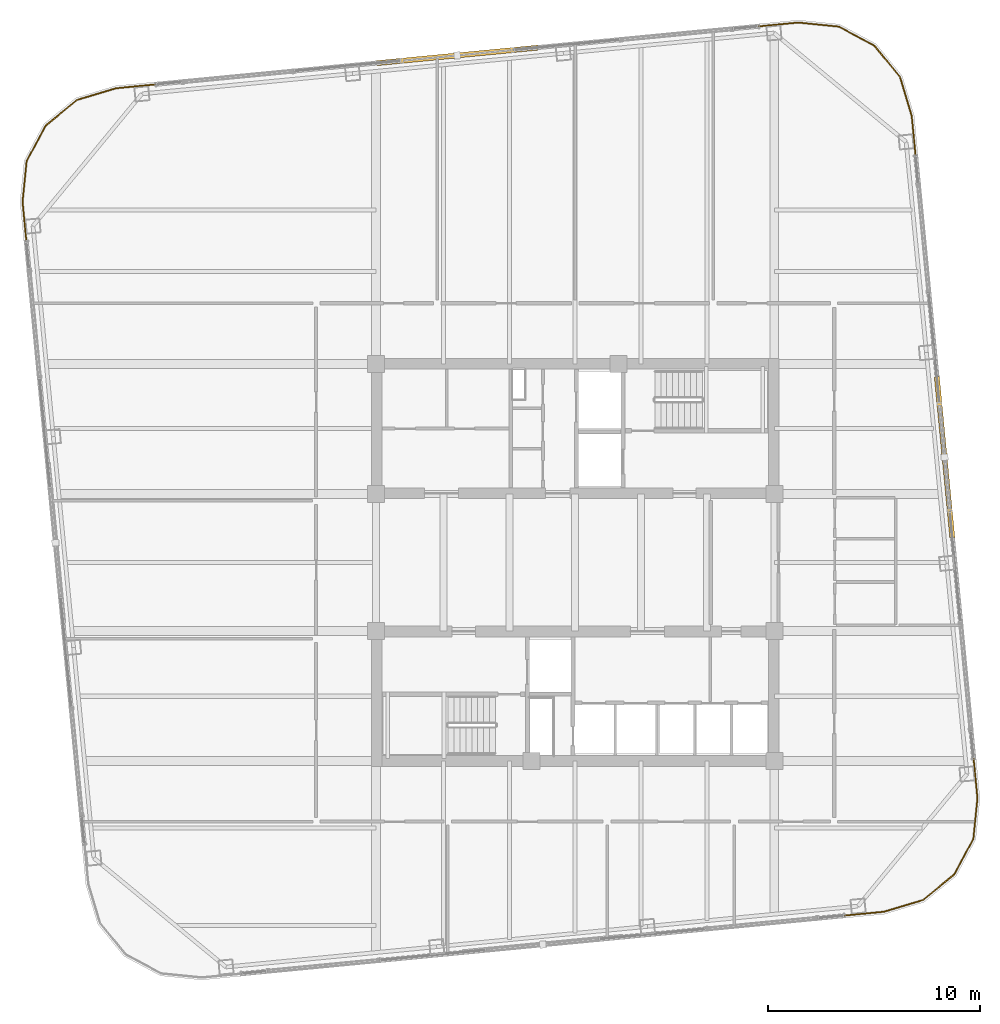
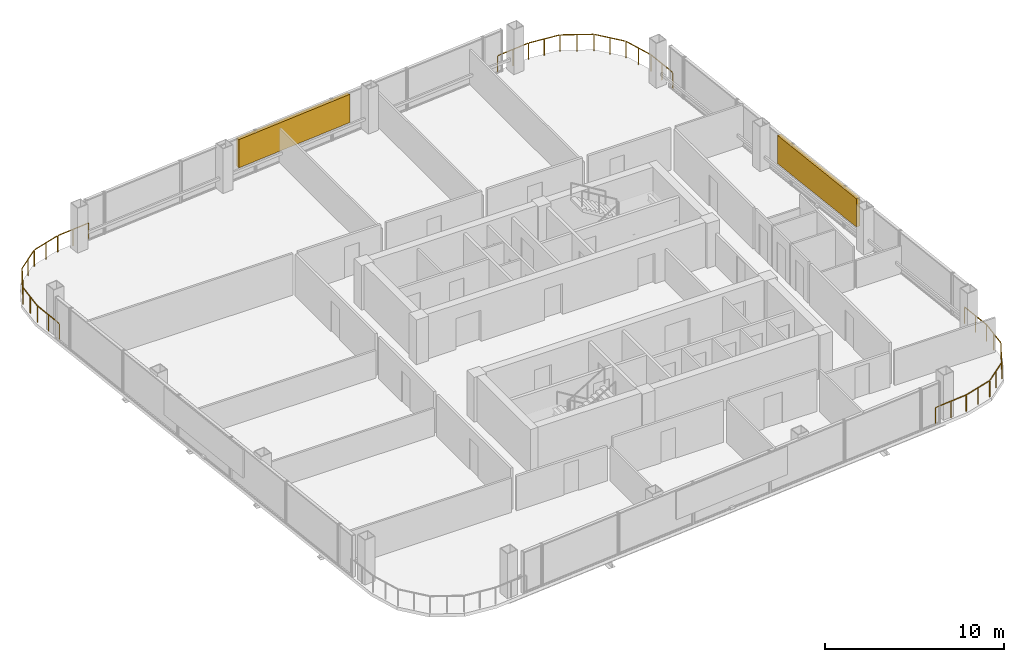
# One storey, part 29 of 29: 4 railings, 2 shading devices.
"""IFC4 building model written with IfcOpenShell, lengths in metres."""

from ifc_helpers import new_model, si_unit, direction, frame, origin, origin_2d, place, context, subcontext, project, spatial, rectangle, extrude, material, type_object, element, save


model = new_model("IFC4")

# Units and contexts
model_context = context("Model", 3, precision=1e-05, world=origin(), true_north=direction((0.0, 1.0)))
body_context = subcontext(model_context, "Body", "Model", "MODEL_VIEW")
ifc_project = project(units=[si_unit("LENGTHUNIT", "METRE"), si_unit("AREAUNIT", "SQUARE_METRE"), si_unit("VOLUMEUNIT", "CUBIC_METRE"), si_unit("PLANEANGLEUNIT", "RADIAN"), si_unit("MASSUNIT", "GRAM", prefix="KILO")], contexts=[model_context])

# Site, building, storey
site_placement = place(None, origin())
site = spatial("IfcSite", under=ifc_project, at=site_placement, CompositionType="ELEMENT")
building_placement = place(site_placement, origin())
building = spatial("IfcBuilding", under=site, at=building_placement, Name="Qhalaya Broadcast Tower", CompositionType="ELEMENT")
storey_placement = place(building_placement, frame((0.0, 0.0, 177.5)))
storey = spatial("IfcBuildingStorey", under=building, at=storey_placement, Name="L52", CompositionType="ELEMENT", Elevation=177.5)

# Railings
ifc_material_1 = material(Name="Powder-Coated Galvanised Steel", Category="steel")
railing_type = type_object("IfcRailingType", Name="Terrace, Sky-Pool & Lookout Glass Balustrade 1150", PredefinedType="BALUSTRADE", material=ifc_material_1)
railing_1_placement = place(storey_placement, frame((14.53955078125, -15.846435546875, 0.0)))
element("IfcRailing", 1, at=railing_1_placement, inside=storey, type_object=railing_type, Name="L52 Rounded Corner Perimeter Guard 01", PredefinedType="BALUSTRADE", context=body_context, shape_type="SweptSolid", body=[
    extrude(rectangle(XDim=0.048095703125, YDim=0.048095703125, at=origin_2d()), frame((0.0, 0.0, 1.1259765625), z_axis=(-0.995402268864, -0.095782687057, 0.0), x_axis=(0.095782687057, -0.995402268864, 0.0)), (0.0, 0.0, 1.0), 2.1181640625),
    extrude(rectangle(XDim=0.0419921875, YDim=0.0419921875, at=origin_2d()), origin(), (0.0, 0.0, 1.0), 1.099853515625),
    extrude(rectangle(XDim=0.0419921875, YDim=0.0419921875, at=origin_2d()), frame((-1.05419921875, -0.1015625, 0.0)), (0.0, 0.0, 1.0), 1.099853515625),
    extrude(rectangle(XDim=0.0419921875, YDim=0.0419921875, at=origin_2d()), frame((-2.1083984375, -0.202880859375, 0.0)), (0.0, 0.0, 1.0), 1.099853515625),
])
railing_2_placement = place(storey_placement, frame((-25.81689453125, 15.479736328125, 0.0)))
element("IfcRailing", 2, at=railing_2_placement, inside=storey, type_object=railing_type, Name="L52 Rounded Corner Perimeter Guard 03", PredefinedType="BALUSTRADE", context=body_context, shape_type="SweptSolid", body=[
    extrude(rectangle(XDim=0.048095703125, YDim=0.048095703125, at=origin_2d()), frame((0.0, 0.0, 1.1259765625), z_axis=(-0.095896889673, 0.995391273094, 0.0), x_axis=(-0.995391273094, -0.095896889673, 0.0)), (0.0, 0.0, 1.0), 2.08935546875),
    extrude(rectangle(XDim=0.048095703125, YDim=0.048095703125, at=origin_2d()), frame((-0.2001953125, 2.13720703125, 1.1259765625), z_axis=(0.100185175984, 0.994968808814, 0.0), x_axis=(-0.994968808814, 0.100185175984, 0.0)), (0.0, 0.0, 1.0), 1.857666015625),
    extrude(rectangle(XDim=0.048095703125, YDim=0.048095703125, at=origin_2d()), frame((0.00244140625, 4.03955078125, 1.1259765625), z_axis=(0.473342342286, 0.880878554058, 0.0), x_axis=(-0.880878554058, 0.473342342286, 0.0)), (0.0, 0.0, 1.0), 1.845458984375),
    extrude(rectangle(XDim=0.048095703125, YDim=0.048095703125, at=origin_2d()), frame((0.912109375, 5.708984375, 1.1259765625), z_axis=(0.774368685352, 0.632734651451, 0.0), x_axis=(-0.632734651451, 0.774368685352, 0.0)), (0.0, 0.0, 1.0), 1.84521484375),
    extrude(rectangle(XDim=0.048095703125, YDim=0.048095703125, at=origin_2d()), frame((2.390869140625, 6.903076171875, 1.1259765625), z_axis=(0.957576860039, 0.288177995547, 0.0), x_axis=(-0.288177995547, 0.957576860039, 0.0)), (0.0, 0.0, 1.0), 1.857666015625),
    extrude(rectangle(XDim=0.048095703125, YDim=0.048095703125, at=origin_2d()), frame((4.226318359375, 7.449462890625, 1.1259765625), z_axis=(0.995402268864, 0.095782687057, 0.0), x_axis=(-0.095782687057, 0.995402268864, 0.0)), (0.0, 0.0, 1.0), 2.08935546875),
    extrude(rectangle(XDim=0.0419921875, YDim=0.0419921875, at=origin_2d()), origin(), (0.0, 0.0, 1.0), 1.099853515625),
    extrude(rectangle(XDim=0.0419921875, YDim=0.0419921875, at=origin_2d()), frame((-0.1015625, 1.05419921875, 0.0)), (0.0, 0.0, 1.0), 1.099853515625),
    extrude(rectangle(XDim=0.0419921875, YDim=0.0419921875, at=origin_2d()), frame((-0.203125, 2.1083984375, 0.0)), (0.0, 0.0, 1.0), 1.099853515625),
    extrude(rectangle(XDim=0.0419921875, YDim=0.0419921875, at=origin_2d()), frame((-0.107177734375, 3.061279296875, 0.0)), (0.0, 0.0, 1.0), 1.099853515625),
    extrude(rectangle(XDim=0.0419921875, YDim=0.0419921875, at=origin_2d()), frame((-0.01123046875, 4.01416015625, 0.0)), (0.0, 0.0, 1.0), 1.099853515625),
    extrude(rectangle(XDim=0.0419921875, YDim=0.0419921875, at=origin_2d()), frame((0.439208984375, 4.8525390625, 0.0)), (0.0, 0.0, 1.0), 1.099853515625),
    extrude(rectangle(XDim=0.0419921875, YDim=0.0419921875, at=origin_2d()), frame((0.8896484375, 5.690673828125, 0.0)), (0.0, 0.0, 1.0), 1.099853515625),
    extrude(rectangle(XDim=0.0419921875, YDim=0.0419921875, at=origin_2d()), frame((1.62646484375, 6.292724609375, 0.0)), (0.0, 0.0, 1.0), 1.099853515625),
    extrude(rectangle(XDim=0.0419921875, YDim=0.0419921875, at=origin_2d()), frame((2.36328125, 6.894775390625, 0.0)), (0.0, 0.0, 1.0), 1.099853515625),
    extrude(rectangle(XDim=0.0419921875, YDim=0.0419921875, at=origin_2d()), frame((3.2802734375, 7.1708984375, 0.0)), (0.0, 0.0, 1.0), 1.099853515625),
    extrude(rectangle(XDim=0.0419921875, YDim=0.0419921875, at=origin_2d()), frame((4.197509765625, 7.44677734375, 0.0)), (0.0, 0.0, 1.0), 1.099853515625),
    extrude(rectangle(XDim=0.0419921875, YDim=0.0419921875, at=origin_2d()), frame((5.251708984375, 7.54833984375, 0.0)), (0.0, 0.0, 1.0), 1.099853515625),
    extrude(rectangle(XDim=0.0419921875, YDim=0.0419921875, at=origin_2d()), frame((6.305908203125, 7.649658203125, 0.0)), (0.0, 0.0, 1.0), 1.099853515625),
])
railing_3_placement = place(storey_placement, frame((8.39990234375, 25.81689453125, 0.0)))
element("IfcRailing", 3, at=railing_3_placement, inside=storey, type_object=railing_type, Name="L52 Rounded Corner Perimeter Guard 04", PredefinedType="BALUSTRADE", context=body_context, shape_type="SweptSolid", body=[
    extrude(rectangle(XDim=0.048095703125, YDim=0.048095703125, at=origin_2d()), frame((0.0, 0.0, 1.1259765625), z_axis=(0.995391273094, 0.095896889673, 0.0), x_axis=(-0.095896889673, 0.995391273094, 0.0)), (0.0, 0.0, 1.0), 2.08935546875),
    extrude(rectangle(XDim=0.048095703125, YDim=0.048095703125, at=origin_2d()), frame((2.13720703125, 0.2001953125, 1.1259765625), z_axis=(0.994967529225, -0.100197883148, 0.0), x_axis=(0.100197883148, 0.994967529225, 0.0)), (0.0, 0.0, 1.0), 1.857421875),
    extrude(rectangle(XDim=0.048095703125, YDim=0.048095703125, at=origin_2d()), frame((4.039306640625, -0.00244140625, 1.1259765625), z_axis=(0.880878554058, -0.473342342286, 0.0), x_axis=(0.473342342286, 0.880878554058, 0.0)), (0.0, 0.0, 1.0), 1.845458984375),
    extrude(rectangle(XDim=0.048095703125, YDim=0.048095703125, at=origin_2d()), frame((5.708740234375, -0.912109375, 1.1259765625), z_axis=(0.632734651451, -0.774368685352, 0.0), x_axis=(0.774368685352, 0.632734651451, 0.0)), (0.0, 0.0, 1.0), 1.84521484375),
    extrude(rectangle(XDim=0.048095703125, YDim=0.048095703125, at=origin_2d()), frame((6.90283203125, -2.390869140625, 1.1259765625), z_axis=(0.288177995547, -0.957576860039, 0.0), x_axis=(0.957576860039, 0.288177995547, 0.0)), (0.0, 0.0, 1.0), 1.857666015625),
    extrude(rectangle(XDim=0.048095703125, YDim=0.048095703125, at=origin_2d()), frame((7.44921875, -4.226318359375, 1.1259765625), z_axis=(0.095782687057, -0.995402268864, 0.0), x_axis=(0.995402268864, 0.095782687057, 0.0)), (0.0, 0.0, 1.0), 2.08935546875),
    extrude(rectangle(XDim=0.0419921875, YDim=0.0419921875, at=origin_2d()), origin(), (0.0, 0.0, 1.0), 1.099853515625),
    extrude(rectangle(XDim=0.0419921875, YDim=0.0419921875, at=origin_2d()), frame((1.05419921875, 0.1015625, 0.0)), (0.0, 0.0, 1.0), 1.099853515625),
    extrude(rectangle(XDim=0.0419921875, YDim=0.0419921875, at=origin_2d()), frame((2.1083984375, 0.203125, 0.0)), (0.0, 0.0, 1.0), 1.099853515625),
    extrude(rectangle(XDim=0.0419921875, YDim=0.0419921875, at=origin_2d()), frame((3.06103515625, 0.107177734375, 0.0)), (0.0, 0.0, 1.0), 1.099853515625),
    extrude(rectangle(XDim=0.0419921875, YDim=0.0419921875, at=origin_2d()), frame((4.013916015625, 0.01123046875, 0.0)), (0.0, 0.0, 1.0), 1.099853515625),
    extrude(rectangle(XDim=0.0419921875, YDim=0.0419921875, at=origin_2d()), frame((4.85205078125, -0.439208984375, 0.0)), (0.0, 0.0, 1.0), 1.099853515625),
    extrude(rectangle(XDim=0.0419921875, YDim=0.0419921875, at=origin_2d()), frame((5.6904296875, -0.8896484375, 0.0)), (0.0, 0.0, 1.0), 1.099853515625),
    extrude(rectangle(XDim=0.0419921875, YDim=0.0419921875, at=origin_2d()), frame((6.29248046875, -1.62646484375, 0.0)), (0.0, 0.0, 1.0), 1.099853515625),
    extrude(rectangle(XDim=0.0419921875, YDim=0.0419921875, at=origin_2d()), frame((6.89453125, -2.36328125, 0.0)), (0.0, 0.0, 1.0), 1.099853515625),
    extrude(rectangle(XDim=0.0419921875, YDim=0.0419921875, at=origin_2d()), frame((7.17041015625, -3.2802734375, 0.0)), (0.0, 0.0, 1.0), 1.099853515625),
    extrude(rectangle(XDim=0.0419921875, YDim=0.0419921875, at=origin_2d()), frame((7.446533203125, -4.197509765625, 0.0)), (0.0, 0.0, 1.0), 1.099853515625),
    extrude(rectangle(XDim=0.0419921875, YDim=0.0419921875, at=origin_2d()), frame((7.5478515625, -5.251708984375, 0.0)), (0.0, 0.0, 1.0), 1.099853515625),
    extrude(rectangle(XDim=0.0419921875, YDim=0.0419921875, at=origin_2d()), frame((7.6494140625, -6.305908203125, 0.0)), (0.0, 0.0, 1.0), 1.099853515625),
])
railing_4_placement = place(storey_placement, frame((18.73681640625, -8.39990234375, 0.0)))
element("IfcRailing", 4, at=railing_4_placement, inside=storey, type_object=railing_type, Name="L52 Rounded Corner Perimeter Guard 05", PredefinedType="BALUSTRADE", context=body_context, shape_type="SweptSolid", body=[
    extrude(rectangle(XDim=0.048095703125, YDim=0.048095703125, at=origin_2d()), frame((0.0, 0.0, 1.1259765625), z_axis=(0.095896889673, -0.995391273094, 0.0), x_axis=(0.995391273094, 0.095896889673, 0.0)), (0.0, 0.0, 1.0), 2.08935546875),
    extrude(rectangle(XDim=0.048095703125, YDim=0.048095703125, at=origin_2d()), frame((0.2001953125, -2.13720703125, 1.1259765625), z_axis=(-0.100197883148, -0.994967529225, 0.0), x_axis=(0.994967529225, -0.100197883148, 0.0)), (0.0, 0.0, 1.0), 1.857421875),
    extrude(rectangle(XDim=0.048095703125, YDim=0.048095703125, at=origin_2d()), frame((-0.00244140625, -4.039306640625, 1.1259765625), z_axis=(-0.473242797018, -0.880932037714, 0.0), x_axis=(0.880932037714, -0.473242797018, 0.0)), (0.0, 0.0, 1.0), 1.845458984375),
    extrude(rectangle(XDim=0.048095703125, YDim=0.048095703125, at=origin_2d()), frame((-0.911865234375, -5.708740234375, 1.1259765625), z_axis=(-0.774420039683, -0.632671796541, 0.0), x_axis=(0.632671796541, -0.774420039683, 0.0)), (0.0, 0.0, 1.0), 1.845458984375),
    extrude(rectangle(XDim=0.048095703125, YDim=0.048095703125, at=origin_2d()), frame((-2.390869140625, -6.90283203125, 1.1259765625), z_axis=(-0.95756627332, -0.288213171456, 0.0), x_axis=(0.288213171456, -0.95756627332, 0.0)), (0.0, 0.0, 1.0), 1.886474609375),
    extrude(rectangle(XDim=0.0419921875, YDim=0.0419921875, at=origin_2d()), origin(), (0.0, 0.0, 1.0), 1.099853515625),
    extrude(rectangle(XDim=0.0419921875, YDim=0.0419921875, at=origin_2d()), frame((0.1015625, -1.05419921875, 0.0)), (0.0, 0.0, 1.0), 1.099853515625),
    extrude(rectangle(XDim=0.0419921875, YDim=0.0419921875, at=origin_2d()), frame((0.203125, -2.1083984375, 0.0)), (0.0, 0.0, 1.0), 1.099853515625),
    extrude(rectangle(XDim=0.0419921875, YDim=0.0419921875, at=origin_2d()), frame((0.107177734375, -3.06103515625, 0.0)), (0.0, 0.0, 1.0), 1.099853515625),
    extrude(rectangle(XDim=0.0419921875, YDim=0.0419921875, at=origin_2d()), frame((0.01123046875, -4.013916015625, 0.0)), (0.0, 0.0, 1.0), 1.099853515625),
    extrude(rectangle(XDim=0.0419921875, YDim=0.0419921875, at=origin_2d()), frame((-0.43896484375, -4.85205078125, 0.0)), (0.0, 0.0, 1.0), 1.099853515625),
    extrude(rectangle(XDim=0.0419921875, YDim=0.0419921875, at=origin_2d()), frame((-0.889404296875, -5.6904296875, 0.0)), (0.0, 0.0, 1.0), 1.099853515625),
    extrude(rectangle(XDim=0.0419921875, YDim=0.0419921875, at=origin_2d()), frame((-1.62646484375, -6.29248046875, 0.0)), (0.0, 0.0, 1.0), 1.099853515625),
    extrude(rectangle(XDim=0.0419921875, YDim=0.0419921875, at=origin_2d()), frame((-2.36328125, -6.89453125, 0.0)), (0.0, 0.0, 1.0), 1.099853515625),
    extrude(rectangle(XDim=0.0419921875, YDim=0.0419921875, at=origin_2d()), frame((-3.2802734375, -7.17041015625, 0.0)), (0.0, 0.0, 1.0), 1.099853515625),
    extrude(rectangle(XDim=0.0419921875, YDim=0.0419921875, at=origin_2d()), frame((-4.197265625, -7.446533203125, 0.0)), (0.0, 0.0, 1.0), 1.099853515625),
])

# Shading devices
ifc_material_2 = material(Name="Fired Architectural Terracotta", Category="masonry")
shading_device_type = type_object("IfcShadingDeviceType", Name="Terracotta Baguette Solar Screen Assembly TBS-01", PredefinedType="USERDEFINED", material=ifc_material_2)
for number, where, z_axis, x_axis, name in (
    (5, (17.393310546875, 5.5556640625, 0.79248046875), (0.0, 0.0, 1.0), (-0.09584575252, 0.995396198367, 0.0), "L52 Fired Terracotta Baguette Screen E"),
    (6, (-5.5556640625, 24.47314453125, 0.79248046875), (0.0, 0.0, 1.0), (-0.995396198367, -0.09584575252, 0.0), "L52 Fired Terracotta Baguette Screen N"),
):
    element("IfcShadingDevice", number, at=place(storey_placement, frame(where, z_axis=z_axis, x_axis=x_axis)), inside=storey, type_object=shading_device_type, Name=name, ObjectType="BAGUETTE", PredefinedType="USERDEFINED", context=body_context, shape_type="SweptSolid", body=[
        extrude(rectangle(XDim=7.60009765625, YDim=0.239990234375, at=origin_2d()), origin(), (0.0, 0.0, 1.0), 1.924072265625),
    ])

save(model, "model.ifc")
